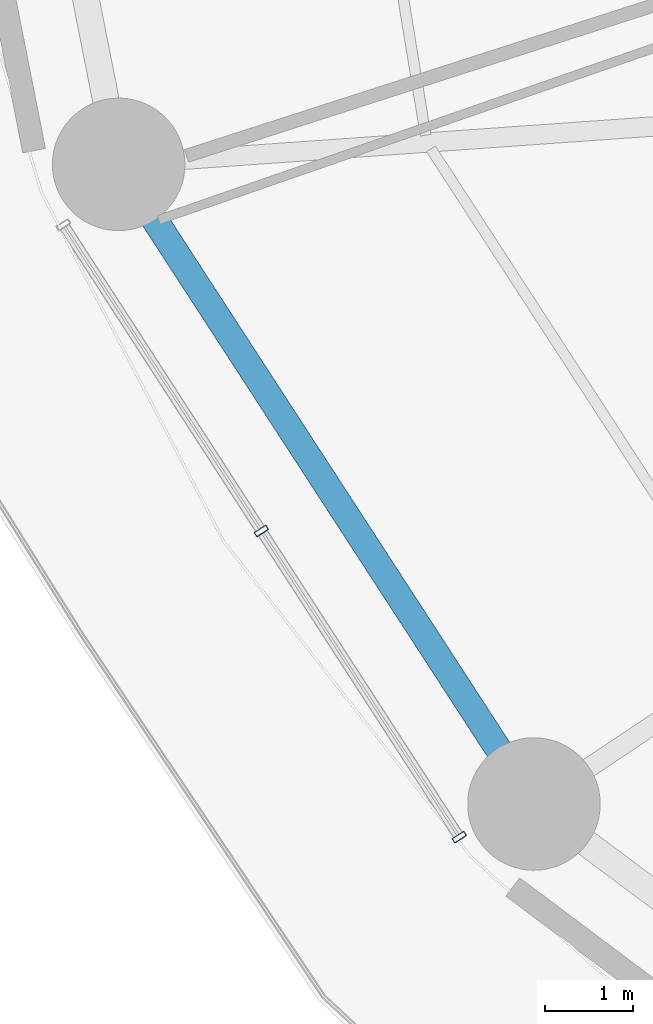
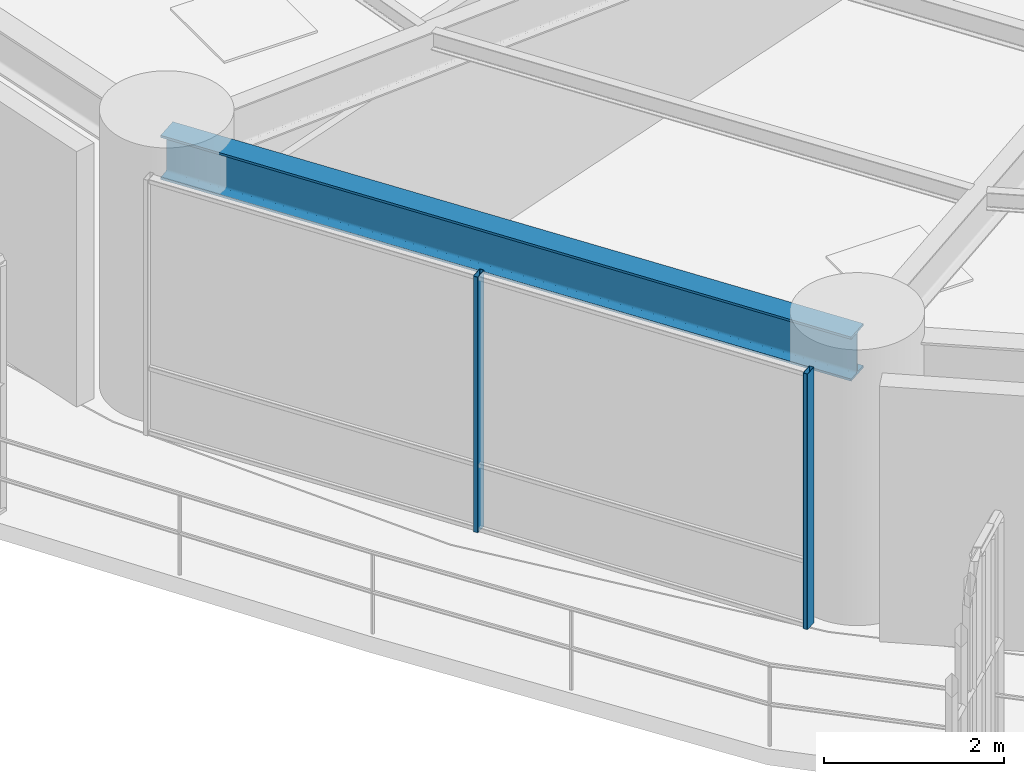
# One storey, part 2 of 32: 2 members, 1 beam, 1 element without a shape of its own.
"""IFC4 building model written with IfcOpenShell, lengths in metres."""

from ifc_helpers import new_model, si_unit, direction, frame, origin, origin_2d, place, context, subcontext, project, spatial, hollow_rectangle, i_section, extrude, material, layer, layer_set, material_profile, profile_set, type_object, element, aggregate, save


model = new_model("IFC4")

# Units and contexts
model_context = context("Model", 3, precision=1e-05, world=origin(), true_north=direction((0.0, 1.0)))
body_context = subcontext(model_context, "Body", "Model", "MODEL_VIEW")
ifc_project = project(units=[si_unit("LENGTHUNIT", "METRE"), si_unit("AREAUNIT", "SQUARE_METRE"), si_unit("VOLUMEUNIT", "CUBIC_METRE"), si_unit("PLANEANGLEUNIT", "RADIAN"), si_unit("MASSUNIT", "GRAM", prefix="KILO")], contexts=[model_context])

# Site, building, storey
site_placement = place(None, origin())
site = spatial("IfcSite", under=ifc_project, at=site_placement, CompositionType="ELEMENT")
building_placement = place(site_placement, origin())
building = spatial("IfcBuilding", under=site, at=building_placement, Name="Kelanora Arch Commons", CompositionType="ELEMENT")
storey_placement = place(building_placement, frame((0.0, 0.0, 56.25)))
storey = spatial("IfcBuildingStorey", under=building, at=storey_placement, Name="L14", CompositionType="ELEMENT", Elevation=56.25)

# Beam
ifc_material_1 = material(Name="Steel S355", Category="steel")
ifc_material_profile_1 = material_profile(ifc_material_1, i_section(OverallWidth=0.300048828125, OverallDepth=0.60009765625, WebThickness=0.015380859375, FlangeThickness=0.030029296875, FilletRadius=0.027099609375, at=origin_2d()), Name="HEB600")
ifc_profile_set_1 = profile_set([ifc_material_profile_1], Name="Steel S355")
beam_type = type_object("IfcBeamType", Name="BM-SPN-Z1", PredefinedType="SPANDREL", material=ifc_profile_set_1)
beam_placement = place(storey_placement, frame((48.552978515625, 49.76416015625, 3.18994140625), z_axis=(0.544585813928, -0.838705127722, 0.0), x_axis=(0.838705127722, 0.544585813928, 0.0)))
element("IfcBeam", 1, at=beam_placement, inside=storey, type_object=beam_type, Name="Perimeter Spandrel Beam BS-20 L14", PredefinedType="SPANDREL", context=body_context, shape_type="SweptSolid", body=[
    extrude(i_section(OverallWidth=0.300048828125, OverallDepth=0.60009765625, WebThickness=0.015380859375, FlangeThickness=0.030029296875, FilletRadius=0.027099609375, at=origin_2d()), origin(), (0.0, 0.0, 1.0), 8.63525390625),
])

# Curtain wall, members
ifc_material_2 = material(Name="Terracotta ceramic-fritted low-E glass and aluminium", Category="masonry")
ifc_layer = layer(ifc_material_2, 0.159912109375)
ifc_layer_set = layer_set([ifc_layer], Name="Terracotta ceramic-fritted low-E glass and aluminium")
curtain_wall_type = type_object("IfcCurtainWallType", Name="CW-SYS-01", PredefinedType="NOTDEFINED", material=ifc_layer_set)
curtain_wall_placement = place(storey_placement, origin())
curtain_wall = element("IfcCurtainWall", 2, at=curtain_wall_placement, inside=storey, type_object=curtain_wall_type, Name="Unitised Curtain Wall L14-B10", PredefinedType="NOTDEFINED")
ifc_material_3 = material(Name="Powder-coated aluminium terracotta", Category="masonry")
ifc_material_profile_2 = material_profile(ifc_material_3, hollow_rectangle(XDim=0.159912109375, YDim=0.06005859375, WallThickness=0.0048828125, InnerFilletRadius=0.0048828125, OuterFilletRadius=0.010009765625, at=origin_2d()), Name="CWM160x60")
ifc_profile_set_2 = profile_set([ifc_material_profile_2], Name="Powder-coated aluminium terracotta")
member_type = type_object("IfcMemberType", Name="CWM-STD", PredefinedType="MULLION", material=ifc_profile_set_2)
member_1_placement = place(storey_placement, frame((50.169189453125, 45.61328125, 0.0), z_axis=(0.0, 0.0, 1.0), x_axis=(0.83972982332, 0.543004441812, 0.0)))
member_1 = element("IfcMember", 3, at=member_1_placement, type_object=member_type, Name="CW-01 mullion 2", PredefinedType="MULLION", context=body_context, shape_type="SweptSolid", body=[
    extrude(hollow_rectangle(XDim=0.159912109375, YDim=0.06005859375, WallThickness=0.0048828125, InnerFilletRadius=0.0048828125, OuterFilletRadius=0.010009765625, at=origin_2d()), origin(), (0.0, 0.0, 1.0), 3.47509765625),
])
member_2_placement = place(storey_placement, frame((52.41064453125, 42.14697265625, 0.0), z_axis=(0.0, 0.0, 1.0), x_axis=(0.83972982332, 0.543004441812, 0.0)))
member_2 = element("IfcMember", 4, at=member_2_placement, type_object=member_type, Name="CW-01 mullion 3", PredefinedType="MULLION", context=body_context, shape_type="SweptSolid", body=[
    extrude(hollow_rectangle(XDim=0.159912109375, YDim=0.06005859375, WallThickness=0.0048828125, InnerFilletRadius=0.0048828125, OuterFilletRadius=0.010009765625, at=origin_2d()), origin(), (0.0, 0.0, 1.0), 3.47509765625),
])
aggregate(curtain_wall, [member_1, member_2])

save(model, "model.ifc")
